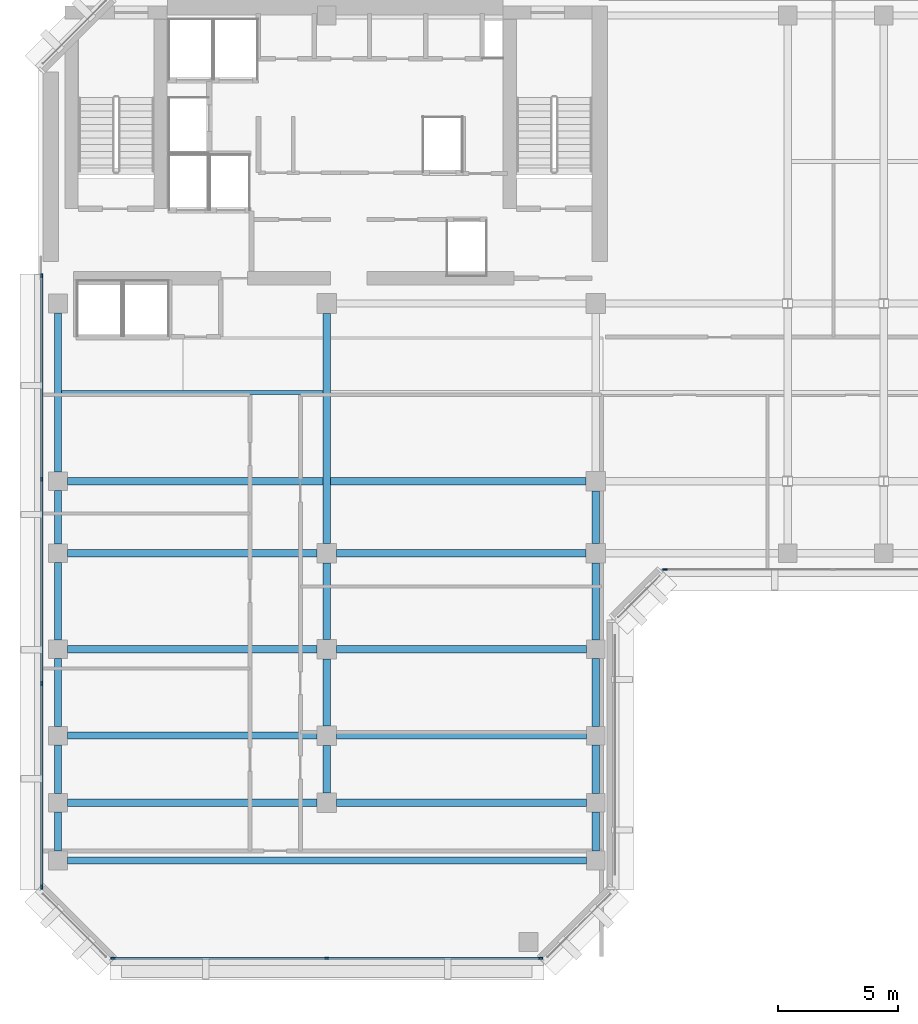
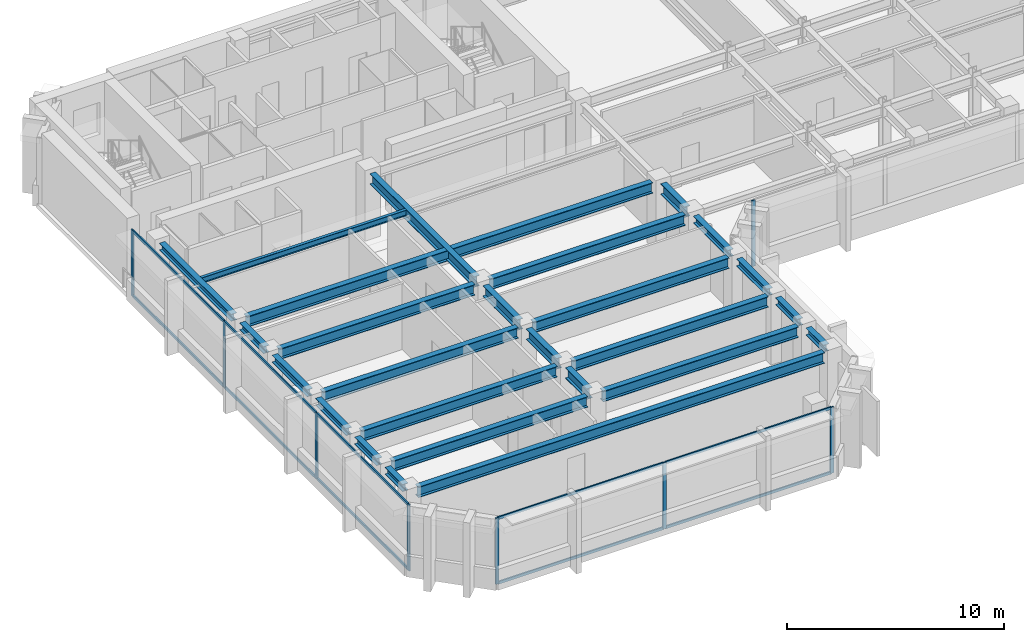
# One storey, part 2 of 12: 26 beams, 18 members, 3 elements without a shape of their own.
"""IFC4 building model written with IfcOpenShell, lengths in metres."""

from ifc_helpers import new_model, si_unit, direction, frame, origin, origin_2d, place, context, subcontext, project, spatial, rectangle, i_section, extrude, material, layer, layer_set, material_profile, profile_set, type_object, element, aggregate, save


model = new_model("IFC4")

# Units and contexts
model_context = context("Model", 3, precision=1e-05, world=origin(), true_north=direction((0.0, 1.0)))
body_context = subcontext(model_context, "Body", "Model", "MODEL_VIEW")
ifc_project = project(units=[si_unit("LENGTHUNIT", "METRE"), si_unit("AREAUNIT", "SQUARE_METRE"), si_unit("VOLUMEUNIT", "CUBIC_METRE"), si_unit("PLANEANGLEUNIT", "RADIAN"), si_unit("MASSUNIT", "GRAM", prefix="KILO")], contexts=[model_context])

# Site, building, storey
site_placement = place(None, origin())
site = spatial("IfcSite", under=ifc_project, at=site_placement, CompositionType="ELEMENT")
building_placement = place(site_placement, origin())
building = spatial("IfcBuilding", under=site, at=building_placement, Name="Kefirva Bronze Tower", CompositionType="ELEMENT")
storey_placement = place(building_placement, frame((0.0, 0.0, 256.409912109375)))
storey = spatial("IfcBuildingStorey", under=building, at=storey_placement, Name="L62", CompositionType="ELEMENT", Elevation=256.409912109375)

# Curtain wall, members
ifc_material_1 = material(Name="Bronze anodised aluminium", Category="aluminium")
ifc_layer = layer(ifc_material_1, 0.179931640625, Name="Bronze anodised aluminium")
ifc_layer_set = layer_set([ifc_layer], Name="Bronze anodised aluminium")
curtain_wall_type = type_object("IfcCurtainWallType", Name="Unitised Bronze Ribbon Curtain Wall Zone 3", PredefinedType="USERDEFINED", material=ifc_layer_set)
curtain_wall_1_placement = place(storey_placement, origin())
curtain_wall_1 = element("IfcCurtainWall", 1, at=curtain_wall_1_placement, inside=storey, type_object=curtain_wall_type, Name="L62 Curtain Wall 1", ObjectType="UNITISED CURTAIN WALL", PredefinedType="USERDEFINED")
ifc_material_profile_1 = material_profile(ifc_material_1, rectangle(XDim=0.074951171875, YDim=0.179931640625, at=origin_2d()), Name="ALU 75x180")
ifc_profile_set_1 = profile_set([ifc_material_profile_1], Name="Bronze anodised aluminium")
member_type_1 = type_object("IfcMemberType", Name="Bronze Mullion 75x180", PredefinedType="MULLION", material=ifc_profile_set_1)
member_1_placement = place(storey_placement, frame((3.092529296875, 5.919921875, 0.0), z_axis=(0.0, 0.0, 1.0), x_axis=(0.0, 1.0, 0.0)))
member_1 = element("IfcMember", 2, at=member_1_placement, type_object=member_type_1, Name="CW-03 mullion 1", PredefinedType="MULLION", context=body_context, shape_type="SweptSolid", body=[
    extrude(rectangle(XDim=0.074951171875, YDim=0.179931640625, at=origin_2d()), origin(), (0.0, 0.0, 1.0), 3.710205078125),
])
member_2_placement = place(storey_placement, frame((12.0, 5.919921875, 0.0), z_axis=(0.0, 0.0, 1.0), x_axis=(0.0, 1.0, 0.0)))
member_2 = element("IfcMember", 3, at=member_2_placement, type_object=member_type_1, Name="CW-03 mullion 2", PredefinedType="MULLION", context=body_context, shape_type="SweptSolid", body=[
    extrude(rectangle(XDim=0.074951171875, YDim=0.179931640625, at=origin_2d()), origin(), (0.0, 0.0, 1.0), 3.710205078125),
])
member_3_placement = place(storey_placement, frame((20.907470703125, 5.919921875, 0.0), z_axis=(0.0, 0.0, 1.0), x_axis=(0.0, 1.0, 0.0)))
member_3 = element("IfcMember", 4, at=member_3_placement, type_object=member_type_1, Name="CW-03 mullion 3", PredefinedType="MULLION", context=body_context, shape_type="SweptSolid", body=[
    extrude(rectangle(XDim=0.074951171875, YDim=0.179931640625, at=origin_2d()), origin(), (0.0, 0.0, 1.0), 3.710205078125),
])

# Curtain wall, member
curtain_wall_2_placement = place(storey_placement, origin())
curtain_wall_2 = element("IfcCurtainWall", 5, at=curtain_wall_2_placement, inside=storey, type_object=curtain_wall_type, Name="L62 Curtain Wall 2", ObjectType="UNITISED CURTAIN WALL", PredefinedType="USERDEFINED")
member_4_placement = place(storey_placement, frame((26.092529296875, 22.1201171875, 0.0), z_axis=(0.0, 0.0, 1.0), x_axis=(0.0, 1.0, 0.0)))
member_4 = element("IfcMember", 6, at=member_4_placement, type_object=member_type_1, Name="CW-03 mullion 1", PredefinedType="MULLION", context=body_context, shape_type="SweptSolid", body=[
    extrude(rectangle(XDim=0.074951171875, YDim=0.179931640625, at=origin_2d()), origin(), (0.0, 0.0, 1.0), 3.710205078125),
])
aggregate(curtain_wall_2, [member_4])

# Curtain wall, members
curtain_wall_3_placement = place(storey_placement, origin())
curtain_wall_3 = element("IfcCurtainWall", 7, at=curtain_wall_3_placement, inside=storey, type_object=curtain_wall_type, Name="L62 Curtain Wall 5", ObjectType="UNITISED CURTAIN WALL", PredefinedType="USERDEFINED")
member_5_placement = place(storey_placement, frame((0.1201171875, 34.357421875, 0.0), z_axis=(0.0, 0.0, 1.0), x_axis=(1.0, 0.0, 0.0)))
member_5 = element("IfcMember", 8, at=member_5_placement, type_object=member_type_1, Name="CW-03 mullion 1", PredefinedType="MULLION", context=body_context, shape_type="SweptSolid", body=[
    extrude(rectangle(XDim=0.074951171875, YDim=0.179931640625, at=origin_2d()), origin(), (0.0, 0.0, 1.0), 3.710205078125),
])
member_6_placement = place(storey_placement, frame((0.1201171875, 25.881591796875, 0.0), z_axis=(0.0, 0.0, 1.0), x_axis=(1.0, 0.0, 0.0)))
member_6 = element("IfcMember", 9, at=member_6_placement, type_object=member_type_1, Name="CW-03 mullion 2", PredefinedType="MULLION", context=body_context, shape_type="SweptSolid", body=[
    extrude(rectangle(XDim=0.074951171875, YDim=0.179931640625, at=origin_2d()), origin(), (0.0, 0.0, 1.0), 3.710205078125),
])
member_7_placement = place(storey_placement, frame((0.1201171875, 17.368408203125, 0.0), z_axis=(0.0, 0.0, 1.0), x_axis=(1.0, 0.0, 0.0)))
member_7 = element("IfcMember", 10, at=member_7_placement, type_object=member_type_1, Name="CW-03 mullion 3", PredefinedType="MULLION", context=body_context, shape_type="SweptSolid", body=[
    extrude(rectangle(XDim=0.074951171875, YDim=0.179931640625, at=origin_2d()), origin(), (0.0, 0.0, 1.0), 3.710205078125),
])
member_8_placement = place(storey_placement, frame((0.1201171875, 8.892578125, 0.0), z_axis=(0.0, 0.0, 1.0), x_axis=(1.0, 0.0, 0.0)))
member_8 = element("IfcMember", 11, at=member_8_placement, type_object=member_type_1, Name="CW-03 mullion 4", PredefinedType="MULLION", context=body_context, shape_type="SweptSolid", body=[
    extrude(rectangle(XDim=0.074951171875, YDim=0.179931640625, at=origin_2d()), origin(), (0.0, 0.0, 1.0), 3.710205078125),
])

# Member
ifc_material_profile_2 = material_profile(ifc_material_1, rectangle(XDim=0.074951171875, YDim=0.14990234375, at=origin_2d()), Name="ALU 75x150")
ifc_profile_set_2 = profile_set([ifc_material_profile_2], Name="Bronze anodised aluminium")
member_type_2 = type_object("IfcMemberType", Name="Bronze Transom 75x150", PredefinedType="USERDEFINED", material=ifc_profile_set_2)
member_9_placement = place(storey_placement, frame((3.1298828125, 5.919921875, 0.03759765625), z_axis=(1.0, 0.0, 0.0), x_axis=(0.0, 1.0, 0.0)))
member_9 = element("IfcMember", 12, at=member_9_placement, type_object=member_type_2, Name="CW-03 transom 1.1", ObjectType="TRANSOM", PredefinedType="USERDEFINED", context=body_context, shape_type="SweptSolid", body=[
    extrude(rectangle(XDim=0.074951171875, YDim=0.14990234375, at=origin_2d()), origin(), (0.0, 0.0, 1.0), 8.83251953125),
])

member_10_placement = place(storey_placement, frame((3.1298828125, 5.919921875, 3.672607421875), z_axis=(1.0, 0.0, 0.0), x_axis=(0.0, 1.0, 0.0)))
member_10 = element("IfcMember", 13, at=member_10_placement, type_object=member_type_2, Name="CW-03 transom 1.2", ObjectType="TRANSOM", PredefinedType="USERDEFINED", context=body_context, shape_type="SweptSolid", body=[
    extrude(rectangle(XDim=0.074951171875, YDim=0.14990234375, at=origin_2d()), origin(), (0.0, 0.0, 1.0), 8.83251953125),
])

member_11_placement = place(storey_placement, frame((12.03759765625, 5.919921875, 0.03759765625), z_axis=(1.0, 0.0, 0.0), x_axis=(0.0, 1.0, 0.0)))
member_11 = element("IfcMember", 14, at=member_11_placement, type_object=member_type_2, Name="CW-03 transom 2.1", ObjectType="TRANSOM", PredefinedType="USERDEFINED", context=body_context, shape_type="SweptSolid", body=[
    extrude(rectangle(XDim=0.074951171875, YDim=0.14990234375, at=origin_2d()), origin(), (0.0, 0.0, 1.0), 8.83251953125),
])

member_12_placement = place(storey_placement, frame((12.03759765625, 5.919921875, 3.672607421875), z_axis=(1.0, 0.0, 0.0), x_axis=(0.0, 1.0, 0.0)))
member_12 = element("IfcMember", 15, at=member_12_placement, type_object=member_type_2, Name="CW-03 transom 2.2", ObjectType="TRANSOM", PredefinedType="USERDEFINED", context=body_context, shape_type="SweptSolid", body=[
    extrude(rectangle(XDim=0.074951171875, YDim=0.14990234375, at=origin_2d()), origin(), (0.0, 0.0, 1.0), 8.83251953125),
])

aggregate(curtain_wall_1, [member_1, member_2, member_3, member_9, member_10, member_11, member_12])

member_13_placement = place(storey_placement, frame((0.1201171875, 34.320068359375, 0.03759765625), z_axis=(0.0, -1.0, 0.0), x_axis=(1.0, 0.0, 0.0)))
member_13 = element("IfcMember", 16, at=member_13_placement, type_object=member_type_2, Name="CW-03 transom 1.1", ObjectType="TRANSOM", PredefinedType="USERDEFINED", context=body_context, shape_type="SweptSolid", body=[
    extrude(rectangle(XDim=0.074951171875, YDim=0.14990234375, at=origin_2d()), origin(), (0.0, 0.0, 1.0), 8.40087890625),
])

member_14_placement = place(storey_placement, frame((0.1201171875, 34.320068359375, 3.672607421875), z_axis=(0.0, -1.0, 0.0), x_axis=(1.0, 0.0, 0.0)))
member_14 = element("IfcMember", 17, at=member_14_placement, type_object=member_type_2, Name="CW-03 transom 1.2", ObjectType="TRANSOM", PredefinedType="USERDEFINED", context=body_context, shape_type="SweptSolid", body=[
    extrude(rectangle(XDim=0.074951171875, YDim=0.14990234375, at=origin_2d()), origin(), (0.0, 0.0, 1.0), 8.40087890625),
])

member_15_placement = place(storey_placement, frame((0.1201171875, 25.84423828125, 0.03759765625), z_axis=(0.0, -1.0, 0.0), x_axis=(1.0, 0.0, 0.0)))
member_15 = element("IfcMember", 18, at=member_15_placement, type_object=member_type_2, Name="CW-03 transom 2.1", ObjectType="TRANSOM", PredefinedType="USERDEFINED", context=body_context, shape_type="SweptSolid", body=[
    extrude(rectangle(XDim=0.074951171875, YDim=0.14990234375, at=origin_2d()), origin(), (0.0, 0.0, 1.0), 8.4384765625),
])

member_16_placement = place(storey_placement, frame((0.1201171875, 25.84423828125, 3.672607421875), z_axis=(0.0, -1.0, 0.0), x_axis=(1.0, 0.0, 0.0)))
member_16 = element("IfcMember", 19, at=member_16_placement, type_object=member_type_2, Name="CW-03 transom 2.2", ObjectType="TRANSOM", PredefinedType="USERDEFINED", context=body_context, shape_type="SweptSolid", body=[
    extrude(rectangle(XDim=0.074951171875, YDim=0.14990234375, at=origin_2d()), origin(), (0.0, 0.0, 1.0), 8.4384765625),
])

member_17_placement = place(storey_placement, frame((0.1201171875, 17.330810546875, 0.03759765625), z_axis=(0.0, -1.0, 0.0), x_axis=(1.0, 0.0, 0.0)))
member_17 = element("IfcMember", 20, at=member_17_placement, type_object=member_type_2, Name="CW-03 transom 3.1", ObjectType="TRANSOM", PredefinedType="USERDEFINED", context=body_context, shape_type="SweptSolid", body=[
    extrude(rectangle(XDim=0.074951171875, YDim=0.14990234375, at=origin_2d()), origin(), (0.0, 0.0, 1.0), 8.40087890625),
])

member_18_placement = place(storey_placement, frame((0.1201171875, 17.330810546875, 3.672607421875), z_axis=(0.0, -1.0, 0.0), x_axis=(1.0, 0.0, 0.0)))
member_18 = element("IfcMember", 21, at=member_18_placement, type_object=member_type_2, Name="CW-03 transom 3.2", ObjectType="TRANSOM", PredefinedType="USERDEFINED", context=body_context, shape_type="SweptSolid", body=[
    extrude(rectangle(XDim=0.074951171875, YDim=0.14990234375, at=origin_2d()), origin(), (0.0, 0.0, 1.0), 8.40087890625),
])

aggregate(curtain_wall_3, [member_5, member_6, member_7, member_8, member_13, member_14, member_15, member_16, member_17, member_18])

# Beams
ifc_material_2 = material(Name="Steel S355", Category="steel")
ifc_material_profile_3 = material_profile(ifc_material_2, i_section(OverallWidth=0.159912109375, OverallDepth=0.330078125, WebThickness=0.007568359375, FlangeThickness=0.011474609375, at=origin_2d()), Name="IPE 330")
ifc_profile_set_3 = profile_set([ifc_material_profile_3], Name="Steel S355")
beam_type_1 = type_object("IfcBeamType", Name="Steel Floor Joist IPE 330", PredefinedType="JOIST", material=ifc_profile_set_3)
beam_1_placement = place(storey_placement, frame((0.949951171875, 29.489990234375, 3.545166015625), z_axis=(1.0, 0.0, 0.0), x_axis=(0.0, 1.0, 0.0)))
element("IfcBeam", 22, at=beam_1_placement, inside=storey, type_object=beam_type_1, Name="L62 JST-L62-0-294", PredefinedType="JOIST", context=body_context, shape_type="SweptSolid", body=[
    extrude(i_section(OverallWidth=0.159912109375, OverallDepth=0.330078125, WebThickness=0.007568359375, FlangeThickness=0.011474609375, at=origin_2d()), origin(), (0.0, 0.0, 1.0), 10.900146484375),
])
ifc_material_profile_4 = material_profile(ifc_material_2, i_section(OverallWidth=0.300048828125, OverallDepth=0.60009765625, WebThickness=0.015380859375, FlangeThickness=0.030029296875, at=origin_2d()), Name="HEB 600")
ifc_profile_set_4 = profile_set([ifc_material_profile_4], Name="Steel S355")
beam_type_2 = type_object("IfcBeamType", Name="Steel Girder HEB 600", PredefinedType="USERDEFINED", material=ifc_profile_set_4)
beam_2_placement = place(storey_placement, frame((1.18994140625, 10.0, 3.41015625), z_axis=(1.0, 0.0, 0.0), x_axis=(0.0, 1.0, 0.0)))
element("IfcBeam", 23, at=beam_2_placement, inside=storey, type_object=beam_type_2, Name="L62 BM-L62-EW-0-100", ObjectType="GIRDER", PredefinedType="USERDEFINED", context=body_context, shape_type="SweptSolid", body=[
    extrude(i_section(OverallWidth=0.300048828125, OverallDepth=0.60009765625, WebThickness=0.015380859375, FlangeThickness=0.030029296875, at=origin_2d()), origin(), (0.0, 0.0, 1.0), 21.6201171875),
])
for number, where, z_axis, x_axis, name in (
    (24, (1.18994140625, 12.39990234375, 3.41015625), (1.0, 0.0, 0.0), (0.0, 1.0, 0.0), "L62 BM-L62-EW-0-124"),
    (25, (12.409912109375, 12.39990234375, 3.41015625), (1.0, 0.0, 0.0), (0.0, 1.0, 0.0), "L62 BM-L62-EW-12-124"),
    (26, (1.18994140625, 15.199951171875, 3.41015625), (1.0, 0.0, 0.0), (0.0, 1.0, 0.0), "L62 BM-L62-EW-0-152"),
    (27, (12.409912109375, 15.199951171875, 3.41015625), (1.0, 0.0, 0.0), (0.0, 1.0, 0.0), "L62 BM-L62-EW-12-152"),
    (28, (1.18994140625, 18.800048828125, 3.41015625), (1.0, 0.0, 0.0), (0.0, 1.0, 0.0), "L62 BM-L62-EW-0-188"),
    (29, (12.409912109375, 18.800048828125, 3.41015625), (1.0, 0.0, 0.0), (0.0, 1.0, 0.0), "L62 BM-L62-EW-12-188"),
    (30, (1.18994140625, 22.800048828125, 3.41015625), (1.0, 0.0, 0.0), (0.0, 1.0, 0.0), "L62 BM-L62-EW-0-228"),
):
    element("IfcBeam", number, at=place(storey_placement, frame(where, z_axis=z_axis, x_axis=x_axis)), inside=storey, type_object=beam_type_2, Name=name, ObjectType="GIRDER", PredefinedType="USERDEFINED", context=body_context, shape_type="SweptSolid", body=[
        extrude(i_section(OverallWidth=0.300048828125, OverallDepth=0.60009765625, WebThickness=0.015380859375, FlangeThickness=0.030029296875, at=origin_2d()), origin(), (0.0, 0.0, 1.0), 10.400146484375),
    ])
beam_3_placement = place(storey_placement, frame((12.409912109375, 22.800048828125, 3.41015625), z_axis=(1.0, 0.0, 0.0), x_axis=(0.0, 1.0, 0.0)))
element("IfcBeam", 31, at=beam_3_placement, inside=storey, type_object=beam_type_2, Name="L62 BM-L62-EW-12-228", ObjectType="GIRDER", PredefinedType="USERDEFINED", context=body_context, shape_type="SweptSolid", body=[
    extrude(i_section(OverallWidth=0.300048828125, OverallDepth=0.60009765625, WebThickness=0.015380859375, FlangeThickness=0.030029296875, at=origin_2d()), origin(), (0.0, 0.0, 1.0), 10.380126953125),
])
beam_4_placement = place(storey_placement, frame((1.18994140625, 25.800048828125, 3.41015625), z_axis=(1.0, 0.0, 0.0), x_axis=(0.0, 1.0, 0.0)))
element("IfcBeam", 32, at=beam_4_placement, inside=storey, type_object=beam_type_2, Name="L62 BM-L62-EW-0-258", ObjectType="GIRDER", PredefinedType="USERDEFINED", context=body_context, shape_type="SweptSolid", body=[
    extrude(i_section(OverallWidth=0.300048828125, OverallDepth=0.60009765625, WebThickness=0.015380859375, FlangeThickness=0.030029296875, at=origin_2d()), origin(), (0.0, 0.0, 1.0), 21.60009765625),
])
beam_5_placement = place(storey_placement, frame((12.0, 12.81005859375, 3.41015625), z_axis=(0.0, 1.0, 0.0), x_axis=(-1.0, 0.0, 0.0)))
element("IfcBeam", 33, at=beam_5_placement, inside=storey, type_object=beam_type_2, Name="L62 BM-L62-NS-120-12", ObjectType="GIRDER", PredefinedType="USERDEFINED", context=body_context, shape_type="SweptSolid", body=[
    extrude(i_section(OverallWidth=0.300048828125, OverallDepth=0.60009765625, WebThickness=0.015380859375, FlangeThickness=0.030029296875, at=origin_2d()), origin(), (0.0, 0.0, 1.0), 1.97998046875),
])
beam_6_placement = place(storey_placement, frame((12.0, 15.610107421875, 3.41015625), z_axis=(0.0, 1.0, 0.0), x_axis=(-1.0, 0.0, 0.0)))
element("IfcBeam", 34, at=beam_6_placement, inside=storey, type_object=beam_type_2, Name="L62 BM-L62-NS-120-15", ObjectType="GIRDER", PredefinedType="USERDEFINED", context=body_context, shape_type="SweptSolid", body=[
    extrude(i_section(OverallWidth=0.300048828125, OverallDepth=0.60009765625, WebThickness=0.015380859375, FlangeThickness=0.030029296875, at=origin_2d()), origin(), (0.0, 0.0, 1.0), 2.77978515625),
])
beam_7_placement = place(storey_placement, frame((12.0, 19.2099609375, 3.41015625), z_axis=(0.0, 1.0, 0.0), x_axis=(-1.0, 0.0, 0.0)))
element("IfcBeam", 35, at=beam_7_placement, inside=storey, type_object=beam_type_2, Name="L62 BM-L62-NS-120-18", ObjectType="GIRDER", PredefinedType="USERDEFINED", context=body_context, shape_type="SweptSolid", body=[
    extrude(i_section(OverallWidth=0.300048828125, OverallDepth=0.60009765625, WebThickness=0.015380859375, FlangeThickness=0.030029296875, at=origin_2d()), origin(), (0.0, 0.0, 1.0), 3.179931640625),
])
beam_8_placement = place(storey_placement, frame((12.0, 23.2099609375, 3.41015625), z_axis=(0.0, 1.0, 0.0), x_axis=(-1.0, 0.0, 0.0)))
element("IfcBeam", 36, at=beam_8_placement, inside=storey, type_object=beam_type_2, Name="L62 BM-L62-NS-120-22", ObjectType="GIRDER", PredefinedType="USERDEFINED", context=body_context, shape_type="SweptSolid", body=[
    extrude(i_section(OverallWidth=0.300048828125, OverallDepth=0.60009765625, WebThickness=0.015380859375, FlangeThickness=0.030029296875, at=origin_2d()), origin(), (0.0, 0.0, 1.0), 9.580078125),
])
beam_9_placement = place(storey_placement, frame((23.199951171875, 23.2099609375, 3.41015625), z_axis=(0.0, 1.0, 0.0), x_axis=(-1.0, 0.0, 0.0)))
element("IfcBeam", 37, at=beam_9_placement, inside=storey, type_object=beam_type_2, Name="L62 BM-L62-NS-232-22", ObjectType="GIRDER", PredefinedType="USERDEFINED", context=body_context, shape_type="SweptSolid", body=[
    extrude(i_section(OverallWidth=0.300048828125, OverallDepth=0.60009765625, WebThickness=0.015380859375, FlangeThickness=0.030029296875, at=origin_2d()), origin(), (0.0, 0.0, 1.0), 2.179931640625),
])
ifc_material_profile_5 = material_profile(ifc_material_2, i_section(OverallWidth=0.300048828125, OverallDepth=0.39990234375, WebThickness=0.013427734375, FlangeThickness=0.02392578125, at=origin_2d()), Name="HEB 400")
ifc_profile_set_5 = profile_set([ifc_material_profile_5], Name="Steel S355")
beam_type_3 = type_object("IfcBeamType", Name="Steel Spandrel HEB 400 Ext", PredefinedType="SPANDREL", material=ifc_profile_set_5)
beam_10_placement = place(storey_placement, frame((0.800048828125, 10.389892578125, 3.510009765625), z_axis=(0.0, 1.0, 0.0), x_axis=(-1.0, 0.0, 0.0)))
element("IfcBeam", 38, at=beam_10_placement, inside=storey, type_object=beam_type_3, Name="L62 BM-L62-NS-8-10", PredefinedType="SPANDREL", context=body_context, shape_type="SweptSolid", body=[
    extrude(i_section(OverallWidth=0.300048828125, OverallDepth=0.39990234375, WebThickness=0.013427734375, FlangeThickness=0.02392578125, at=origin_2d()), origin(), (0.0, 0.0, 1.0), 1.6201171875),
])
beam_11_placement = place(storey_placement, frame((0.800048828125, 12.7900390625, 3.510009765625), z_axis=(0.0, 1.0, 0.0), x_axis=(-1.0, 0.0, 0.0)))
element("IfcBeam", 39, at=beam_11_placement, inside=storey, type_object=beam_type_3, Name="L62 BM-L62-NS-8-12", PredefinedType="SPANDREL", context=body_context, shape_type="SweptSolid", body=[
    extrude(i_section(OverallWidth=0.300048828125, OverallDepth=0.39990234375, WebThickness=0.013427734375, FlangeThickness=0.02392578125, at=origin_2d()), origin(), (0.0, 0.0, 1.0), 2.02001953125),
])
beam_12_placement = place(storey_placement, frame((0.800048828125, 15.590087890625, 3.510009765625), z_axis=(0.0, 1.0, 0.0), x_axis=(-1.0, 0.0, 0.0)))
element("IfcBeam", 40, at=beam_12_placement, inside=storey, type_object=beam_type_3, Name="L62 BM-L62-NS-8-15", PredefinedType="SPANDREL", context=body_context, shape_type="SweptSolid", body=[
    extrude(i_section(OverallWidth=0.300048828125, OverallDepth=0.39990234375, WebThickness=0.013427734375, FlangeThickness=0.02392578125, at=origin_2d()), origin(), (0.0, 0.0, 1.0), 2.81982421875),
])
beam_13_placement = place(storey_placement, frame((0.800048828125, 19.18994140625, 3.510009765625), z_axis=(0.0, 1.0, 0.0), x_axis=(-1.0, 0.0, 0.0)))
element("IfcBeam", 41, at=beam_13_placement, inside=storey, type_object=beam_type_3, Name="L62 BM-L62-NS-8-18", PredefinedType="SPANDREL", context=body_context, shape_type="SweptSolid", body=[
    extrude(i_section(OverallWidth=0.300048828125, OverallDepth=0.39990234375, WebThickness=0.013427734375, FlangeThickness=0.02392578125, at=origin_2d()), origin(), (0.0, 0.0, 1.0), 3.219970703125),
])
beam_14_placement = place(storey_placement, frame((0.800048828125, 23.18994140625, 3.510009765625), z_axis=(0.0, 1.0, 0.0), x_axis=(-1.0, 0.0, 0.0)))
element("IfcBeam", 42, at=beam_14_placement, inside=storey, type_object=beam_type_3, Name="L62 BM-L62-NS-8-22", PredefinedType="SPANDREL", context=body_context, shape_type="SweptSolid", body=[
    extrude(i_section(OverallWidth=0.300048828125, OverallDepth=0.39990234375, WebThickness=0.013427734375, FlangeThickness=0.02392578125, at=origin_2d()), origin(), (0.0, 0.0, 1.0), 2.219970703125),
])
beam_15_placement = place(storey_placement, frame((0.800048828125, 26.18994140625, 3.510009765625), z_axis=(0.0, 1.0, 0.0), x_axis=(-1.0, 0.0, 0.0)))
element("IfcBeam", 43, at=beam_15_placement, inside=storey, type_object=beam_type_3, Name="L62 BM-L62-NS-8-25", PredefinedType="SPANDREL", context=body_context, shape_type="SweptSolid", body=[
    extrude(i_section(OverallWidth=0.300048828125, OverallDepth=0.39990234375, WebThickness=0.013427734375, FlangeThickness=0.02392578125, at=origin_2d()), origin(), (0.0, 0.0, 1.0), 6.6201171875),
])
beam_16_placement = place(storey_placement, frame((23.199951171875, 10.389892578125, 3.510009765625), z_axis=(0.0, 1.0, 0.0), x_axis=(-1.0, 0.0, 0.0)))
element("IfcBeam", 44, at=beam_16_placement, inside=storey, type_object=beam_type_3, Name="L62 BM-L62-NS-232-10", PredefinedType="SPANDREL", context=body_context, shape_type="SweptSolid", body=[
    extrude(i_section(OverallWidth=0.300048828125, OverallDepth=0.39990234375, WebThickness=0.013427734375, FlangeThickness=0.02392578125, at=origin_2d()), origin(), (0.0, 0.0, 1.0), 1.6201171875),
])
beam_17_placement = place(storey_placement, frame((23.199951171875, 12.7900390625, 3.510009765625), z_axis=(0.0, 1.0, 0.0), x_axis=(-1.0, 0.0, 0.0)))
element("IfcBeam", 45, at=beam_17_placement, inside=storey, type_object=beam_type_3, Name="L62 BM-L62-NS-232-12", PredefinedType="SPANDREL", context=body_context, shape_type="SweptSolid", body=[
    extrude(i_section(OverallWidth=0.300048828125, OverallDepth=0.39990234375, WebThickness=0.013427734375, FlangeThickness=0.02392578125, at=origin_2d()), origin(), (0.0, 0.0, 1.0), 2.02001953125),
])
beam_18_placement = place(storey_placement, frame((23.199951171875, 15.590087890625, 3.510009765625), z_axis=(0.0, 1.0, 0.0), x_axis=(-1.0, 0.0, 0.0)))
element("IfcBeam", 46, at=beam_18_placement, inside=storey, type_object=beam_type_3, Name="L62 BM-L62-NS-232-15", PredefinedType="SPANDREL", context=body_context, shape_type="SweptSolid", body=[
    extrude(i_section(OverallWidth=0.300048828125, OverallDepth=0.39990234375, WebThickness=0.013427734375, FlangeThickness=0.02392578125, at=origin_2d()), origin(), (0.0, 0.0, 1.0), 2.81982421875),
])
beam_19_placement = place(storey_placement, frame((23.199951171875, 19.18994140625, 3.510009765625), z_axis=(0.0, 1.0, 0.0), x_axis=(-1.0, 0.0, 0.0)))
element("IfcBeam", 47, at=beam_19_placement, inside=storey, type_object=beam_type_3, Name="L62 BM-L62-NS-232-18", PredefinedType="SPANDREL", context=body_context, shape_type="SweptSolid", body=[
    extrude(i_section(OverallWidth=0.300048828125, OverallDepth=0.39990234375, WebThickness=0.013427734375, FlangeThickness=0.02392578125, at=origin_2d()), origin(), (0.0, 0.0, 1.0), 3.199951171875),
])

save(model, "model.ifc")
